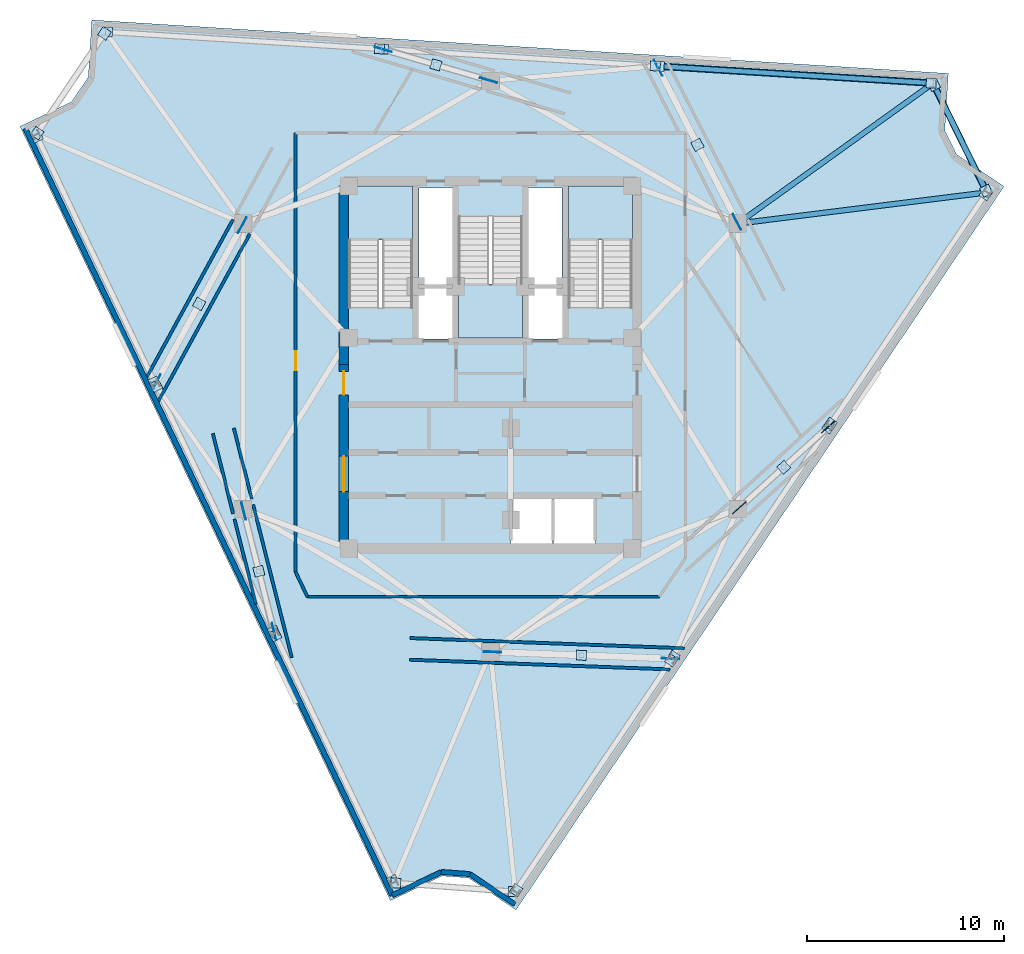
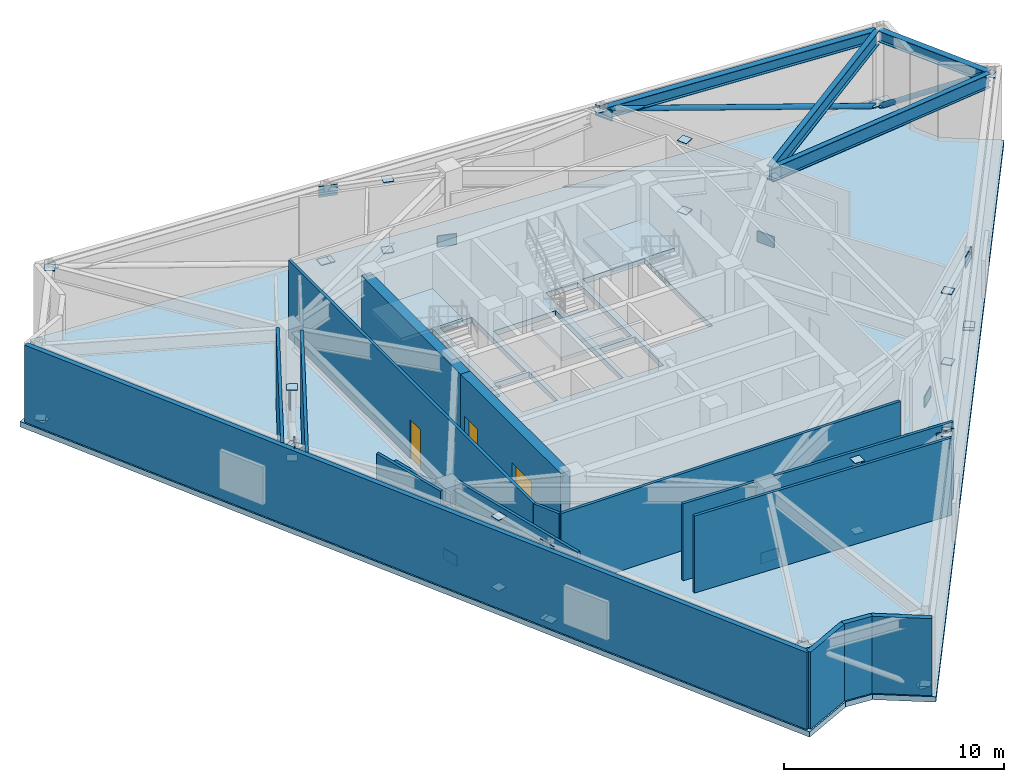
# One storey, part 7 of 11: 48 plates, 17 walls, 4 beams, 4 slabs, 3 doors, 2 members, 3 openings, 3 elements without a shape of their own.
"""IFC4 building model written with IfcOpenShell, lengths in metres."""

from ifc_helpers import new_model, si_unit, direction, frame, frame_2d, origin, origin_2d, place, context, subcontext, project, spatial, polyline, rectangle, hollow_circle, i_section, outline, extrude, material, layer, layer_set, material_profile, profile_set, type_object, element, fill, aggregate, save


model = new_model("IFC4")

# Units and contexts
model_context = context("Model", 3, precision=1e-05, world=origin(), true_north=direction((0.0, 1.0)))
body_context = subcontext(model_context, "Body", "Model", "MODEL_VIEW")
ifc_project = project(units=[si_unit("LENGTHUNIT", "METRE"), si_unit("AREAUNIT", "SQUARE_METRE"), si_unit("VOLUMEUNIT", "CUBIC_METRE"), si_unit("PLANEANGLEUNIT", "RADIAN"), si_unit("MASSUNIT", "GRAM", prefix="KILO")], contexts=[model_context])

# Site, building, storey
site_placement = place(None, origin())
site = spatial("IfcSite", under=ifc_project, at=site_placement, CompositionType="ELEMENT")
building_placement = place(site_placement, origin())
building = spatial("IfcBuilding", under=site, at=building_placement, Name="Apsidion Concourse Tower", CompositionType="ELEMENT")
storey_placement = place(building_placement, frame((0.0, 0.0, 328.0)))
storey = spatial("IfcBuildingStorey", under=building, at=storey_placement, Name="L77", CompositionType="ELEMENT", Elevation=328.0)

# Beams
ifc_material_1 = material(Name="Structural steel ASTM A992 Grade 50", Category="steel")
ifc_material_profile_1 = material_profile(ifc_material_1, i_section(OverallWidth=0.324951171875, OverallDepth=0.616943359375, WebThickness=0.013916015625, FlangeThickness=0.021484375, at=origin_2d()), Name="W24X117")
ifc_profile_set_1 = profile_set([ifc_material_profile_1], Name="Structural steel ASTM A992 Grade 50")
beam_type_1 = type_object("IfcBeamType", Name="BM-SP-W24", PredefinedType="SPANDREL", material=ifc_profile_set_1)
beam_1_placement = place(storey_placement, frame((25.164794921875, 8.922119140625, 3.971435546875), z_axis=(-0.441884134894, 0.897072132734, 0.0), x_axis=(-0.897072132734, -0.441884134894, 0.0)))
element("IfcBeam", 1, at=beam_1_placement, inside=storey, type_object=beam_type_1, Name="L77 Perimeter Spandrel Girder SP-08", PredefinedType="SPANDREL", context=body_context, shape_type="SweptSolid", body=[
    extrude(i_section(OverallWidth=0.324951171875, OverallDepth=0.616943359375, WebThickness=0.013916015625, FlangeThickness=0.021484375, at=origin_2d()), origin(), (0.0, 0.0, 1.0), 5.982421875),
])
beam_2_placement = place(storey_placement, frame((22.377197265625, 14.384765625, 3.971435546875), z_axis=(-0.998077561187, 0.06197726886, 0.0), x_axis=(-0.06197726886, -0.998077561187, 0.0)))
element("IfcBeam", 2, at=beam_2_placement, inside=storey, type_object=beam_type_1, Name="L77 Perimeter Spandrel Girder SP-09", PredefinedType="SPANDREL", context=body_context, shape_type="SweptSolid", body=[
    extrude(i_section(OverallWidth=0.324951171875, OverallDepth=0.616943359375, WebThickness=0.013916015625, FlangeThickness=0.021484375, at=origin_2d()), origin(), (0.0, 0.0, 1.0), 13.83447265625),
])
ifc_material_profile_2 = material_profile(ifc_material_1, i_section(OverallWidth=0.26806640625, OverallDepth=0.77001953125, WebThickness=0.015625, FlangeThickness=0.025390625, at=origin_2d()), Name="W30X132")
ifc_profile_set_2 = profile_set([ifc_material_profile_2], Name="Structural steel ASTM A992 Grade 50")
beam_type_2 = type_object("IfcBeamType", Name="BM-SP-W30", PredefinedType="SPANDREL", material=ifc_profile_set_2)
beam_3_placement = place(storey_placement, frame((12.7783203125, 7.27734375, 3.89501953125), z_axis=(0.99226487514, 0.124138702924, 0.0), x_axis=(-0.124138702924, 0.99226487514, 0.0)))
element("IfcBeam", 3, at=beam_3_placement, inside=storey, type_object=beam_type_2, Name="L77 Radial Floor Girder RAD-08", PredefinedType="SPANDREL", context=body_context, shape_type="SweptSolid", body=[
    extrude(i_section(OverallWidth=0.26806640625, OverallDepth=0.77001953125, WebThickness=0.015625, FlangeThickness=0.025390625, at=origin_2d()), origin(), (0.0, 0.0, 1.0), 12.427490234375),
])
beam_4_placement = place(storey_placement, frame((12.738525390625, 7.37841796875, 3.89501953125), z_axis=(0.811991962087, 0.583668616174, 0.0), x_axis=(-0.583668616174, 0.811991962087, 0.0)))
element("IfcBeam", 4, at=beam_4_placement, inside=storey, type_object=beam_type_2, Name="L77 Radial Floor Girder RAD-09", PredefinedType="SPANDREL", context=body_context, shape_type="SweptSolid", body=[
    extrude(i_section(OverallWidth=0.26806640625, OverallDepth=0.77001953125, WebThickness=0.015625, FlangeThickness=0.025390625, at=origin_2d()), origin(), (0.0, 0.0, 1.0), 11.8935546875),
])

# Members
ifc_material_2 = material(Name="Structural steel ASTM A500 Grade C", Category="steel")
ifc_material_profile_3 = material_profile(ifc_material_2, hollow_circle(Radius=0.136474609375, WallThickness=0.01611328125, at=origin_2d()), Name="CHS273X16")
ifc_profile_set_3 = profile_set([ifc_material_profile_3], Name="Structural steel ASTM A500 Grade C")
member_type = type_object("IfcMemberType", Name="MB-BR-CHS273", PredefinedType="BRACE", material=ifc_profile_set_3)
member_1_placement = place(storey_placement, frame((22.521240234375, 14.288818359375, 0.0), z_axis=(0.362227073991, -0.735359765466, 0.572745634817), x_axis=(0.897072132734, 0.441884134894, 0.0)))
element("IfcMember", 5, at=member_1_placement, inside=storey, type_object=member_type, Name="L77 Perimeter Belt-Truss Diagonal BT-08", PredefinedType="BRACE", context=body_context, shape_type="SweptSolid", body=[
    extrude(hollow_circle(Radius=0.136474609375, WallThickness=0.01611328125, at=origin_2d()), origin(), (0.0, 0.0, 1.0), 7.298095703125),
])
member_2_placement = place(storey_placement, frame((22.377197265625, 14.384765625, 0.0), z_axis=(-0.955420564102, 0.059328412418, 0.289226010538), x_axis=(-0.06197726886, -0.998077561187, 0.0)))
element("IfcMember", 6, at=member_2_placement, inside=storey, type_object=member_type, Name="L77 Perimeter Belt-Truss Diagonal BT-09", PredefinedType="BRACE", context=body_context, shape_type="SweptSolid", body=[
    extrude(hollow_circle(Radius=0.136474609375, WallThickness=0.01611328125, at=origin_2d()), origin(), (0.0, 0.0, 1.0), 14.4521484375),
])

# Plates
ifc_material_3 = material(Name="Structural steel ASTM A572 Grade 50", Category="steel")
ifc_layer_1 = layer(ifc_material_3, 0.034912109375)
ifc_layer_set_1 = layer_set([ifc_layer_1], Name="Structural steel ASTM A572 Grade 50")
plate_type_1 = type_object("IfcPlateType", Name="PL-ENDCAP-35", PredefinedType="USERDEFINED", material=ifc_layer_set_1)
for number, where, z_axis, x_axis, name in (
    (7, (-11.7626953125, -10.407470703125, 0.22265625), (0.0, 0.0, 1.0), (-0.244799751878, 0.969573659647, 0.0), "L77 Outrigger Strut Base End-Cap Plate CAPA-01"),
    (8, (-11.7626953125, -10.407470703125, 4.16259765625), (0.0, 0.0, 1.0), (-0.244799751878, 0.969573659647, 0.0), "L77 Outrigger Strut Top End-Cap Plate CAPB-01"),
    (9, (14.891845703125, -5.127685546875, 0.22265625), (0.0, 0.0, 1.0), (0.739631094979, 0.67301251351, 0.0), "L77 Outrigger Strut Base End-Cap Plate CAPA-02"),
    (10, (14.891845703125, -5.127685546875, 4.16259765625), (0.0, 0.0, 1.0), (0.739631094979, 0.67301251351, 0.0), "L77 Outrigger Strut Top End-Cap Plate CAPB-02"),
    (11, (10.5146484375, 11.249267578125, 0.22265625), (0.0, 0.0, 1.0), (-0.455389528851, 0.890292298637, 0.0), "L77 Outrigger Strut Base End-Cap Plate CAPA-03"),
    (12, (10.5146484375, 11.249267578125, 4.16259765625), (0.0, 0.0, 1.0), (-0.455389528851, 0.890292298637, 0.0), "L77 Outrigger Strut Top End-Cap Plate CAPB-03"),
    (13, (-2.76904296875, 15.30908203125, 0.22265625), (0.0, 0.0, 1.0), (-0.959854262938, 0.280499187022, 0.0), "L77 Outrigger Strut Base End-Cap Plate CAPA-04"),
    (14, (-2.76904296875, 15.30908203125, 4.16259765625), (0.0, 0.0, 1.0), (-0.959854262938, 0.280499187022, 0.0), "L77 Outrigger Strut Top End-Cap Plate CAPB-04"),
    (15, (-14.789794921875, 3.17333984375, 0.22265625), (0.0, 0.0, 1.0), (0.479917286421, 0.877313739887, 0.0), "L77 Outrigger Strut Base End-Cap Plate CAPA-05"),
    (16, (-14.789794921875, 3.17333984375, 4.16259765625), (0.0, 0.0, 1.0), (0.479917286421, 0.877313739887, 0.0), "L77 Outrigger Strut Top End-Cap Plate CAPB-05"),
    (17, (4.619384765625, -14.671875, 0.22265625), (0.0, 0.0, 1.0), (-0.999309070193, 0.037166950783, 0.0), "L77 Outrigger Strut Base End-Cap Plate CAPA-06"),
    (18, (4.619384765625, -14.671875, 4.16259765625), (0.0, 0.0, 1.0), (-0.999309070193, 0.037166950783, 0.0), "L77 Outrigger Strut Top End-Cap Plate CAPB-06"),
    (19, (-23.0302734375, 11.66845703125, 0.1025390625), (0.0, 0.0, 1.0), (-0.431298587031, 0.902209248913, 0.0), "L77 Belt-Truss Base End Plate BTP-01A"),
    (20, (-17.0625, -0.81298828125, 4.16259765625), (0.0, 0.0, 1.0), (-0.431298587031, 0.902209248913, 0.0), "L77 Belt-Truss Top End Plate BTP-01B"),
    (21, (-11.008544921875, -13.474609375, 0.1025390625), (0.0, 0.0, 1.0), (-0.431298587031, 0.902209248913, 0.0), "L77 Belt-Truss Base End Plate BTP-02A"),
    (22, (-16.976318359375, -0.993408203125, 4.16259765625), (0.0, 0.0, 1.0), (-0.431298587031, 0.902209248913, 0.0), "L77 Belt-Truss Top End Plate BTP-02B"),
    (23, (-10.92236328125, -13.655029296875, 0.1025390625), (0.0, 0.0, 1.0), (-0.431298587031, 0.902209248913, 0.0), "L77 Belt-Truss Base End Plate BTP-03A"),
    (24, (-4.95458984375, -26.136474609375, 4.16259765625), (0.0, 0.0, 1.0), (-0.431298587031, 0.902209248913, 0.0), "L77 Belt-Truss Top End Plate BTP-03B"),
    (25, (1.154296875, -26.674560546875, 0.1025390625), (0.0, 0.0, 1.0), (-0.997288851512, 0.073586321085, 0.0), "L77 Belt-Truss Base End Plate BTP-04A"),
    (26, (-4.81201171875, -26.234130859375, 4.16259765625), (0.0, 0.0, 1.0), (-0.997288851512, 0.073586321085, 0.0), "L77 Belt-Truss Top End Plate BTP-04B"),
    (27, (1.309814453125, -26.59912109375, 0.1025390625), (0.0, 0.0, 1.0), (0.559192903471, 0.829037572555, 0.0), "L77 Belt-Truss Base End Plate BTP-05A"),
    (28, (9.18310546875, -14.9267578125, 4.16259765625), (0.0, 0.0, 1.0), (0.559192903471, 0.829037572555, 0.0), "L77 Belt-Truss Top End Plate BTP-05B"),
    (29, (17.16796875, -3.088623046875, 0.1025390625), (0.0, 0.0, 1.0), (0.559192903471, 0.829037572555, 0.0), "L77 Belt-Truss Base End Plate BTP-06A"),
    (30, (9.294921875, -14.760986328125, 4.16259765625), (0.0, 0.0, 1.0), (0.559192903471, 0.829037572555, 0.0), "L77 Belt-Truss Top End Plate BTP-06B"),
    (31, (17.27978515625, -2.9228515625, 0.1025390625), (0.0, 0.0, 1.0), (0.559192903471, 0.829037572555, 0.0), "L77 Belt-Truss Base End Plate BTP-07A"),
    (32, (25.153076171875, 8.74951171875, 4.16259765625), (0.0, 0.0, 1.0), (0.559192903471, 0.829037572555, 0.0), "L77 Belt-Truss Top End Plate BTP-07B"),
    (33, (22.521240234375, 14.288818359375, 0.1025390625), (0.0, 0.0, 1.0), (-0.441819028143, 0.897104200397, 0.0), "L77 Belt-Truss Base End Plate BTP-08A"),
    (34, (25.164794921875, 8.922119140625, 4.16259765625), (0.0, 0.0, 1.0), (-0.441819028143, 0.897104200397, 0.0), "L77 Belt-Truss Top End Plate BTP-08B"),
    (35, (22.377197265625, 14.384765625, 0.1025390625), (0.0, 0.0, 1.0), (-0.998081143466, 0.061919553109, 0.0), "L77 Belt-Truss Base End Plate BTP-09A"),
    (36, (8.5693359375, 15.2421875, 4.16259765625), (0.0, 0.0, 1.0), (-0.998081143466, 0.061919553109, 0.0), "L77 Belt-Truss Top End Plate BTP-09B"),
    (37, (-5.4384765625, 16.1123046875, 0.1025390625), (0.0, 0.0, 1.0), (-0.998081143466, 0.061919553109, 0.0), "L77 Belt-Truss Base End Plate BTP-10A"),
    (38, (8.36962890625, 15.254638671875, 4.16259765625), (0.0, 0.0, 1.0), (-0.998081143466, 0.061919553109, 0.0), "L77 Belt-Truss Top End Plate BTP-10B"),
    (39, (-5.637939453125, 16.12451171875, 0.1025390625), (0.0, 0.0, 1.0), (-0.998081143466, 0.061919553109, 0.0), "L77 Belt-Truss Base End Plate BTP-11A"),
    (40, (-19.446044921875, 16.982177734375, 4.16259765625), (0.0, 0.0, 1.0), (-0.998081143466, 0.061919553109, 0.0), "L77 Belt-Truss Top End Plate BTP-11B"),
    (41, (-23.017333984375, 11.841552734375, 0.1025390625), (0.0, 0.0, 1.0), (0.559192903471, 0.829037572555, 0.0), "L77 Belt-Truss Base End Plate BTP-12A"),
    (42, (-19.601806640625, 16.905517578125, 4.16259765625), (0.0, 0.0, 1.0), (0.559192903471, 0.829037572555, 0.0), "L77 Belt-Truss Top End Plate BTP-12B"),
):
    element("IfcPlate", number, at=place(storey_placement, frame(where, z_axis=z_axis, x_axis=x_axis)), inside=storey, type_object=plate_type_1, Name=name, ObjectType="FLANGE_PLATE", PredefinedType="USERDEFINED", context=body_context, shape_type="SweptSolid", body=[
        extrude(rectangle(XDim=0.5, YDim=0.5, at=origin_2d()), origin(), (0.0, 0.0, 1.0), 0.034912109375),
    ])
ifc_layer_2 = layer(ifc_material_3, 0.0400390625)
ifc_layer_set_2 = layer_set([ifc_layer_2], Name="Structural steel ASTM A572 Grade 50")
plate_type_2 = type_object("IfcPlateType", Name="PL-GUSSET-40", PredefinedType="SHEET", material=ifc_layer_set_2)
for number, where, z_axis, x_axis, name in (
    (43, (-12.535400390625, -7.346923828125, 0.02001953125), (0.0, 0.0, 1.0), (-0.244799751878, 0.969573659647, 0.0), "L77 Outrigger Inner Node Gusset Plate ONA-01"),
    (44, (-10.989990234375, -13.468017578125, 3.699951171875), (0.0, 0.0, 1.0), (-0.244799751878, 0.969573659647, 0.0), "L77 Outrigger Outer Node Gusset Plate ONB-01"),
    (45, (12.634033203125, -7.1826171875, 0.02001953125), (0.0, 0.0, 1.0), (0.739631094979, 0.67301251351, 0.0), "L77 Outrigger Inner Node Gusset Plate ONA-02"),
    (46, (17.14990234375, -3.072998046875, 3.699951171875), (0.0, 0.0, 1.0), (0.739631094979, 0.67301251351, 0.0), "L77 Outrigger Outer Node Gusset Plate ONB-02"),
    (47, (12.514404296875, 7.339111328125, 0.02001953125), (0.0, 0.0, 1.0), (-0.455389528851, 0.890292298637, 0.0), "L77 Outrigger Inner Node Gusset Plate ONA-03"),
    (48, (8.514892578125, 15.159423828125, 3.699951171875), (0.0, 0.0, 1.0), (-0.455389528851, 0.890292298637, 0.0), "L77 Outrigger Outer Node Gusset Plate ONB-03"),
    (49, (-0.095947265625, 14.528076171875, 0.02001953125), (0.0, 0.0, 1.0), (-0.959854262938, 0.280499187022, 0.0), "L77 Outrigger Inner Node Gusset Plate ONA-04"),
    (50, (-5.442138671875, 16.09033203125, 3.699951171875), (0.0, 0.0, 1.0), (-0.959854262938, 0.280499187022, 0.0), "L77 Outrigger Outer Node Gusset Plate ONB-04"),
    (51, (-12.60791015625, 7.162353515625, 0.02001953125), (0.0, 0.0, 1.0), (0.479917286421, 0.877313739887, 0.0), "L77 Outrigger Inner Node Gusset Plate ONA-05"),
    (52, (-16.971435546875, -0.8154296875, 3.699951171875), (0.0, 0.0, 1.0), (0.479917286421, 0.877313739887, 0.0), "L77 Outrigger Outer Node Gusset Plate ONB-05"),
    (53, (0.099853515625, -14.503662109375, 0.02001953125), (0.0, 0.0, 1.0), (-0.999309070193, 0.037166950783, 0.0), "L77 Outrigger Inner Node Gusset Plate ONA-06"),
    (54, (9.13916015625, -14.840087890625, 3.699951171875), (0.0, 0.0, 1.0), (-0.999309070193, 0.037166950783, 0.0), "L77 Outrigger Outer Node Gusset Plate ONB-06"),
):
    element("IfcPlate", number, at=place(storey_placement, frame(where, z_axis=z_axis, x_axis=x_axis)), inside=storey, type_object=plate_type_2, Name=name, PredefinedType="SHEET", context=body_context, shape_type="SweptSolid", body=[
        extrude(rectangle(XDim=0.89990234375, YDim=0.0400390625, at=origin_2d()), origin(), (0.0, 0.0, 1.0), 0.60009765625),
    ])

# Slab
ifc_material_4 = material(Name="Concrete C50/60", Category="concrete")
ifc_layer_3 = layer(ifc_material_4, 0.300048828125)
ifc_layer_set_3 = layer_set([ifc_layer_3], Name="Concrete C50/60")
slab_type_1 = type_object("IfcSlabType", Name="SL-FLR-300", PredefinedType="FLOOR", material=ifc_layer_set_3)
slab_1_placement = place(storey_placement, frame((0.0, 0.0, -0.300048828125)))
element("IfcSlab", 55, at=slab_1_placement, inside=storey, type_object=slab_type_1, Name="L77 Structural Floor Slab", PredefinedType="FLOOR", context=body_context, shape_type="SweptSolid", body=[
    extrude(outline(polyline([(-20.24365234375, 17.58837890625), (-20.424560546875, 14.688232421875), (-21.27001953125, 13.43505859375), (-23.89111328125, 12.180908203125), (-5.082275390625, -27.131103515625), (-2.461181640625, -25.877197265625), (-1.11181640625, -25.9765625), (1.297119140625, -27.6015625), (26.07763671875, 9.136962890625), (23.668701171875, 10.76171875), (23.07080078125, 11.9755859375), (23.251708984375, 14.875732421875), (-20.24365234375, 17.58837890625)]), holes=[polyline([(-3.949951171875, 3.0), (-3.949951171875, 9.14990234375), (-7.199951171875, 9.14990234375), (-7.199951171875, 3.0), (-3.949951171875, 3.0)]), polyline([(7.199951171875, 3.0), (7.199951171875, 9.14990234375), (3.949951171875, 9.14990234375), (3.949951171875, 3.0), (7.199951171875, 3.0)]), polyline([(-1.625, 7.60009765625), (-1.625, 1.449951171875), (1.625, 1.449951171875), (1.625, 7.60009765625), (-1.625, 7.60009765625)]), polyline([(1.044921875, -9.0), (3.155029296875, -9.0), (3.155029296875, -6.64990234375), (1.044921875, -6.64990234375), (1.044921875, -9.0)]), polyline([(3.195068359375, -9.0), (5.304931640625, -9.0), (5.304931640625, -6.64990234375), (3.195068359375, -6.64990234375), (3.195068359375, -9.0)]), polyline([(-3.7099609375, 1.39990234375), (-1.85009765625, 1.39990234375), (-1.85009765625, 4.0), (-3.7099609375, 4.0), (-3.7099609375, 1.39990234375)]), polyline([(1.85009765625, 1.39990234375), (3.7099609375, 1.39990234375), (3.7099609375, 4.0), (1.85009765625, 4.0), (1.85009765625, 1.39990234375)]), polyline([(-3.6201171875, 4.14990234375), (-1.93994140625, 4.14990234375), (-1.93994140625, 9.050048828125), (-3.6201171875, 9.050048828125), (-3.6201171875, 4.14990234375)]), polyline([(1.93994140625, 4.14990234375), (3.6201171875, 4.14990234375), (3.6201171875, 9.050048828125), (1.93994140625, 9.050048828125), (1.93994140625, 4.14990234375)])]), origin(), (0.0, 0.0, 1.0), 0.300048828125),
])

# Stair, slab
ifc_material_5 = material(Name="Precast concrete C40/50", Category="concrete")
stair_type = type_object("IfcStairType", Name="ST-DL-1550", PredefinedType="HALF_TURN_STAIR", material=ifc_material_5)
stair_1_placement = place(storey_placement, origin())
stair_1 = element("IfcStair", 56, at=stair_1_placement, inside=storey, type_object=stair_type, Name="L77 Protected Core Exit Stair ST1", PredefinedType="HALF_TURN_STAIR")
ifc_layer_4 = layer(ifc_material_4, 0.199951171875)
ifc_layer_set_4 = layer_set([ifc_layer_4], Name="Concrete C50/60")
slab_type_2 = type_object("IfcSlabType", Name="SL-ST-LAND-200", PredefinedType="LANDING", material=ifc_layer_set_4)
slab_2_placement = place(storey_placement, frame((0.0, 0.0, 2.050048828125)))
slab_2 = element("IfcSlab", 57, at=slab_2_placement, type_object=slab_type_2, Name="ST1 landing 1", PredefinedType="LANDING", context=body_context, shape_type="SweptSolid", body=[
    extrude(outline(polyline([(-3.949951171875, 6.419921875), (-3.949951171875, 9.14990234375), (-7.199951171875, 9.14990234375), (-7.199951171875, 6.419921875), (-3.949951171875, 6.419921875)])), origin(), (0.0, 0.0, 1.0), 0.199951171875),
])
aggregate(stair_1, [slab_2])

stair_2_placement = place(storey_placement, origin())
stair_2 = element("IfcStair", 58, at=stair_2_placement, inside=storey, type_object=stair_type, Name="L77 Protected Core Exit Stair ST2", PredefinedType="HALF_TURN_STAIR")
slab_3_placement = place(storey_placement, frame((0.0, 0.0, 2.050048828125)))
slab_3 = element("IfcSlab", 59, at=slab_3_placement, type_object=slab_type_2, Name="ST2 landing 1", PredefinedType="LANDING", context=body_context, shape_type="SweptSolid", body=[
    extrude(outline(polyline([(7.199951171875, 6.419921875), (7.199951171875, 9.14990234375), (3.949951171875, 9.14990234375), (3.949951171875, 6.419921875), (7.199951171875, 6.419921875)])), origin(), (0.0, 0.0, 1.0), 0.199951171875),
])
aggregate(stair_2, [slab_3])

stair_3_placement = place(storey_placement, origin())
stair_3 = element("IfcStair", 60, at=stair_3_placement, inside=storey, type_object=stair_type, Name="L77 Protected Core Exit Stair ST3", PredefinedType="HALF_TURN_STAIR")
slab_4_placement = place(storey_placement, frame((0.0, 0.0, 2.050048828125)))
slab_4 = element("IfcSlab", 61, at=slab_4_placement, type_object=slab_type_2, Name="ST3 landing 1", PredefinedType="LANDING", context=body_context, shape_type="SweptSolid", body=[
    extrude(outline(polyline([(-1.625, 4.179931640625), (-1.625, 1.449951171875), (1.625, 1.449951171875), (1.625, 4.179931640625), (-1.625, 4.179931640625)])), origin(), (0.0, 0.0, 1.0), 0.199951171875),
])
aggregate(stair_3, [slab_4])

# Walls
ifc_layer_5 = layer(ifc_material_5, 0.25)
ifc_layer_set_5 = layer_set([ifc_layer_5], Name="Precast concrete C40/50")
wall_type_1 = type_object("IfcWallType", Name="WL-EXT-250", PredefinedType="STANDARD", material=ifc_layer_set_5)
wall_1_placement = place(storey_placement, frame((1.2431640625, -27.323974609375, 0.0), z_axis=(0.0, 0.0, 1.0), x_axis=(-0.829015842911, 0.559225117643, 0.0)))
element("IfcWall", 62, at=wall_1_placement, inside=storey, type_object=wall_type_1, Name="L77 Precast Stone Facade Wall 06", PredefinedType="STANDARD", context=body_context, shape_type="SweptSolid", body=[
    extrude(rectangle(XDim=2.759033203125, YDim=0.25, at=frame_2d((1.37939453125, 0.0))), origin(), (0.0, 0.0, 1.0), 4.280029296875),
])
wall_2_placement = place(storey_placement, frame((-1.044189453125, -25.781005859375, 0.0), z_axis=(0.0, 0.0, 1.0), x_axis=(-0.997286893261, 0.073612855735, 0.0)))
element("IfcWall", 63, at=wall_2_placement, inside=storey, type_object=wall_type_1, Name="L77 Precast Stone Facade Wall 07", PredefinedType="STANDARD", context=body_context, shape_type="SweptSolid", body=[
    extrude(rectangle(XDim=1.459228515625, YDim=0.25, at=frame_2d((0.7294921875, 0.0))), origin(), (0.0, 0.0, 1.0), 4.280029296875),
])
wall_3_placement = place(storey_placement, frame((-2.49951171875, -25.673583984375, 0.0), z_axis=(0.0, 0.0, 1.0), x_axis=(-0.902044352952, -0.431643354296, 0.0)))
element("IfcWall", 64, at=wall_3_placement, inside=storey, type_object=wall_type_1, Name="L77 Precast Stone Facade Wall 08", PredefinedType="STANDARD", context=body_context, shape_type="SweptSolid", body=[
    extrude(rectangle(XDim=2.759033203125, YDim=0.25, at=frame_2d((1.37939453125, 0.0))), origin(), (0.0, 0.0, 1.0), 4.280029296875),
])
wall_4_placement = place(storey_placement, frame((-4.98828125, -26.864501953125, 0.0), z_axis=(0.0, 0.0, 1.0), x_axis=(-0.431592936847, 0.902068476815, 0.0)))
element("IfcWall", 65, at=wall_4_placement, inside=storey, type_object=wall_type_1, Name="L77 Precast Stone Facade Wall 09", PredefinedType="STANDARD", context=body_context, shape_type="SweptSolid", body=[
    extrude(rectangle(XDim=43.18017578125, YDim=0.25, at=frame_2d((21.590087890625, 0.0))), origin(), (0.0, 0.0, 1.0), 4.280029296875),
])
ifc_material_6 = material(Name="Gypsum plasterboard partition")
ifc_layer_6 = layer(ifc_material_6, 0.14990234375)
ifc_layer_set_6 = layer_set([ifc_layer_6], Name="Gypsum plasterboard partition")
wall_type_2 = type_object("IfcWallType", Name="WL-INT-PAR-150", PredefinedType="PARTITIONING", material=ifc_layer_set_6)
wall_5_placement = place(storey_placement, frame((8.572998046875, -11.699951171875, 0.0), z_axis=(0.0, 0.0, 1.0), x_axis=(-1.0, 0.0, 0.0)))
element("IfcWall", 66, at=wall_5_placement, inside=storey, type_object=wall_type_2, Name="L77 Interior Partition WL-L77-CORR-04", PredefinedType="PARTITIONING", context=body_context, shape_type="SweptSolid", body=[
    extrude(rectangle(XDim=17.867919921875, YDim=0.14990234375, at=frame_2d((8.93408203125, 0.0))), origin(), (0.0, 0.0, 1.0), 4.280029296875),
])
wall_6_placement = place(storey_placement, frame((-9.294921875, -11.699951171875, 0.0), z_axis=(0.0, 0.0, 1.0), x_axis=(-0.431541766175, 0.902092957542, 0.0)))
element("IfcWall", 67, at=wall_6_placement, inside=storey, type_object=wall_type_2, Name="L77 Interior Partition WL-L77-CORR-05", PredefinedType="PARTITIONING", context=body_context, shape_type="SweptSolid", body=[
    extrude(rectangle(XDim=1.40185546875, YDim=0.14990234375, at=frame_2d((0.700927734375, 0.0))), origin(), (0.0, 0.0, 1.0), 4.280029296875),
])

# Wall, opening, door
wall_7_placement = place(storey_placement, frame((-9.89990234375, -10.435302734375, 0.0), z_axis=(0.0, 0.0, 1.0), x_axis=(0.0, 1.0, 0.0)))
wall_7 = element("IfcWall", 68, at=wall_7_placement, inside=storey, type_object=wall_type_2, Name="L77 Interior Partition WL-L77-CORR-06", PredefinedType="PARTITIONING", context=body_context, shape_type="SweptSolid", body=[
    extrude(rectangle(XDim=22.285400390625, YDim=0.14990234375, at=frame_2d((11.142578125, 0.0))), origin(), (0.0, 0.0, 1.0), 4.280029296875),
])
opening_1_placement = place(wall_7_placement, frame((10.23974609375, 0.0, 0.0)))
opening_1 = element("IfcOpeningElement", 69, at=opening_1_placement, cuts=wall_7, Name="Opening D-01L", PredefinedType="OPENING", context=body_context, shape_type="SweptSolid", body=[
    extrude(rectangle(XDim=0.949951171875, YDim=2.14990234375, at=frame_2d((0.47509765625, 1.074951171875))), frame((0.0, 0.0849609375, 0.0), z_axis=(0.0, -1.0, 0.0), x_axis=(1.0, 0.0, 0.0)), (0.0, 0.0, 1.0), 0.169921875),
])
ifc_material_7 = material(Name="Brushed stainless steel 316", Category="steel")
door_type_1 = type_object("IfcDoorType", Name="DR-INT-D01L", OperationType="SINGLE_SWING_LEFT", PredefinedType="DOOR", material=ifc_material_7)
door_1_placement = place(opening_1_placement, origin())
door_1 = element("IfcDoor", 70, at=door_1_placement, inside=storey, type_object=door_type_1, Name="L77 Corridor Entry Door 01", OperationType="SINGLE_SWING_LEFT", OverallHeight=2.14990234375, OverallWidth=0.949951171875, PredefinedType="DOOR", context=body_context, shape_type="SweptSolid", body=[
    extrude(rectangle(XDim=0.949951171875, YDim=2.14990234375, at=frame_2d((0.47509765625, 1.074951171875))), frame((0.0, 0.02490234375, 0.0), z_axis=(0.0, -1.0, 0.0), x_axis=(1.0, 0.0, 0.0)), (0.0, 0.0, 1.0), 0.050048828125),
])
fill(opening_1, door_1)

# Walls
wall_8_placement = place(storey_placement, frame((-14.096923828125, -3.409423828125, 0.0), z_axis=(0.0, 0.0, 1.0), x_axis=(0.244780732816, -0.969578461416, 0.0)))
element("IfcWall", 71, at=wall_8_placement, inside=storey, type_object=wall_type_2, Name="L77 Interior Partition WL-L77-OTW-01-1-1", PredefinedType="PARTITIONING", context=body_context, shape_type="SweptSolid", body=[
    extrude(rectangle(XDim=4.195068359375, YDim=0.14990234375, at=frame_2d((2.09765625, 0.0))), origin(), (0.0, 0.0, 1.0), 4.280029296875),
])
wall_9_placement = place(storey_placement, frame((-12.99853515625, -7.760009765625, 0.0), z_axis=(0.0, 0.0, 1.0), x_axis=(0.244819517383, -0.969568669001, 0.0)))
element("IfcWall", 72, at=wall_9_placement, inside=storey, type_object=wall_type_2, Name="L77 Interior Partition WL-L77-OTW-01-1-2", PredefinedType="PARTITIONING", context=body_context, shape_type="SweptSolid", body=[
    extrude(rectangle(XDim=4.45068359375, YDim=0.14990234375, at=frame_2d((2.225341796875, 0.0))), origin(), (0.0, 0.0, 1.0), 3.64306640625),
])
wall_10_placement = place(storey_placement, frame((-13.030517578125, -3.14013671875, 0.0), z_axis=(0.0, 0.0, 1.0), x_axis=(0.244809340232, -0.969571238711, 0.0)))
element("IfcWall", 73, at=wall_10_placement, inside=storey, type_object=wall_type_2, Name="L77 Interior Partition WL-L77-OTW-01-2-1", PredefinedType="PARTITIONING", context=body_context, shape_type="SweptSolid", body=[
    extrude(rectangle(XDim=3.712890625, YDim=0.14990234375, at=frame_2d((1.8564453125, 0.0))), origin(), (0.0, 0.0, 1.0), 3.327880859375),
])
wall_11_placement = place(storey_placement, frame((-12.050048828125, -7.023193359375, 0.0), z_axis=(0.0, 0.0, 1.0), x_axis=(0.244808914564, -0.969571346188, 0.0)))
element("IfcWall", 74, at=wall_11_placement, inside=storey, type_object=wall_type_2, Name="L77 Interior Partition WL-L77-OTW-01-2-2", PredefinedType="PARTITIONING", context=body_context, shape_type="SweptSolid", body=[
    extrude(rectangle(XDim=8.008056640625, YDim=0.14990234375, at=frame_2d((4.00390625, 0.0))), origin(), (0.0, 0.0, 1.0), 4.280029296875),
])
wall_12_placement = place(storey_placement, frame((-13.070068359375, 7.4638671875, 0.0), z_axis=(0.0, 0.0, 1.0), x_axis=(-0.479842349225, -0.877354728653, 0.0)))
element("IfcWall", 75, at=wall_12_placement, inside=storey, type_object=wall_type_2, Name="L77 Interior Partition WL-L77-OTW-05-1-2", PredefinedType="PARTITIONING", context=body_context, shape_type="SweptSolid", body=[
    extrude(rectangle(XDim=9.100830078125, YDim=0.14990234375, at=frame_2d((4.55029296875, 0.0))), origin(), (0.0, 0.0, 1.0), 4.280029296875),
])
wall_13_placement = place(storey_placement, frame((-12.212158203125, 6.739990234375, 0.0), z_axis=(0.0, 0.0, 1.0), x_axis=(-0.479844228241, -0.87735370098, 0.0)))
element("IfcWall", 76, at=wall_13_placement, inside=storey, type_object=wall_type_2, Name="L77 Interior Partition WL-L77-OTW-05-2-2", PredefinedType="PARTITIONING", context=body_context, shape_type="SweptSolid", body=[
    extrude(rectangle(XDim=9.669677734375, YDim=0.14990234375, at=frame_2d((4.8349609375, 0.0))), origin(), (0.0, 0.0, 1.0), 4.280029296875),
])
wall_14_placement = place(storey_placement, frame((-4.11767578125, -14.897216796875, 0.0), z_axis=(0.0, 0.0, 1.0), x_axis=(0.99930853472, -0.037181345264, 0.0)))
element("IfcWall", 77, at=wall_14_placement, inside=storey, type_object=wall_type_2, Name="L77 Interior Partition WL-L77-OTW-06-1-1", PredefinedType="PARTITIONING", context=body_context, shape_type="SweptSolid", body=[
    extrude(rectangle(XDim=13.250732421875, YDim=0.14990234375, at=frame_2d((6.62548828125, 0.0))), origin(), (0.0, 0.0, 1.0), 4.280029296875),
])
wall_15_placement = place(storey_placement, frame((-4.07666015625, -13.7978515625, 0.0), z_axis=(0.0, 0.0, 1.0), x_axis=(0.999307976445, -0.037196346763, 0.0)))
element("IfcWall", 78, at=wall_15_placement, inside=storey, type_object=wall_type_2, Name="L77 Interior Partition WL-L77-OTW-06-2-1", PredefinedType="PARTITIONING", context=body_context, shape_type="SweptSolid", body=[
    extrude(rectangle(XDim=13.934326171875, YDim=0.14990234375, at=frame_2d((6.96728515625, 0.0))), origin(), (0.0, 0.0, 1.0), 4.280029296875),
])
ifc_layer_7 = layer(ifc_material_4, 0.5)
ifc_layer_set_7 = layer_set([ifc_layer_7], Name="Concrete C50/60")
wall_type_3 = type_object("IfcWallType", Name="WL-SH-500", PredefinedType="SHEAR", material=ifc_layer_set_7)
wall_16_placement = place(storey_placement, frame((-7.449951171875, 0.10009765625, 0.0), z_axis=(0.0, 0.0, 1.0), x_axis=(0.0, 1.0, 0.0)))
element("IfcWall", 79, at=wall_16_placement, inside=storey, type_object=wall_type_3, Name="L77 Central Core Shear Wall WN", PredefinedType="SHEAR", context=body_context, shape_type="SweptSolid", body=[
    extrude(rectangle(XDim=9.0498046875, YDim=0.5, at=frame_2d((4.52490234375, 0.0))), origin(), (0.0, 0.0, 1.0), 4.280029296875),
])

# Wall, openings, doors
wall_17_placement = place(storey_placement, frame((-7.449951171875, -9.0, 0.0), z_axis=(0.0, 0.0, 1.0), x_axis=(0.0, 1.0, 0.0)))
wall_17 = element("IfcWall", 80, at=wall_17_placement, inside=storey, type_object=wall_type_3, Name="L77 Central Core Shear Wall WS", PredefinedType="SHEAR", context=body_context, shape_type="SweptSolid", body=[
    extrude(rectangle(XDim=9.10009765625, YDim=0.5, at=frame_2d((4.550048828125, 0.0))), origin(), (0.0, 0.0, 1.0), 4.280029296875),
])
opening_2_placement = place(wall_17_placement, frame((2.639892578125, 0.0, 0.0)))
opening_2 = element("IfcOpeningElement", 81, at=opening_2_placement, cuts=wall_17, Name="Opening D-06D", PredefinedType="OPENING", context=body_context, shape_type="SweptSolid", body=[
    extrude(rectangle(XDim=1.800048828125, YDim=2.199951171875, at=frame_2d((0.89990234375, 1.10009765625))), frame((0.0, 0.260009765625, 0.0), z_axis=(0.0, -1.0, 0.0), x_axis=(1.0, 0.0, 0.0)), (0.0, 0.0, 1.0), 0.52001953125),
])
opening_3_placement = place(wall_17_placement, frame((7.550048828125, 0.0, 0.0)))
opening_3 = element("IfcOpeningElement", 82, at=opening_3_placement, cuts=wall_17, Name="Opening D-FFL", PredefinedType="OPENING", context=body_context, shape_type="SweptSolid", body=[
    extrude(rectangle(XDim=1.199951171875, YDim=2.14990234375, at=frame_2d((0.60009765625, 1.074951171875))), frame((0.0, 0.260009765625, 0.0), z_axis=(0.0, -1.0, 0.0), x_axis=(1.0, 0.0, 0.0)), (0.0, 0.0, 1.0), 0.52001953125),
])
door_type_2 = type_object("IfcDoorType", Name="DR-INT-D06D", OperationType="DOUBLE_DOOR_SINGLE_SWING", PredefinedType="DOOR", material=ifc_material_7)
door_2_placement = place(opening_2_placement, origin())
door_2 = element("IfcDoor", 83, at=door_2_placement, inside=storey, type_object=door_type_2, Name="L77 Passenger Lift Lobby WS Portal Door", OperationType="DOUBLE_DOOR_SINGLE_SWING", OverallHeight=2.199951171875, OverallWidth=1.800048828125, PredefinedType="DOOR", context=body_context, shape_type="SweptSolid", body=[
    extrude(rectangle(XDim=1.800048828125, YDim=2.199951171875, at=frame_2d((0.89990234375, 1.10009765625))), frame((0.0, 0.02490234375, 0.0), z_axis=(0.0, -1.0, 0.0), x_axis=(1.0, 0.0, 0.0)), (0.0, 0.0, 1.0), 0.050048828125),
])
fill(opening_2, door_2)
door_type_3 = type_object("IfcDoorType", Name="DR-INT-FFL", OperationType="SINGLE_SWING_LEFT", PredefinedType="DOOR", material=ifc_material_7)
door_3_placement = place(opening_3_placement, origin())
door_3 = element("IfcDoor", 84, at=door_3_placement, inside=storey, type_object=door_type_3, Name="L77 Firefighting Lift Lobby FF1 Door", OperationType="SINGLE_SWING_LEFT", OverallHeight=2.14990234375, OverallWidth=1.199951171875, PredefinedType="DOOR", context=body_context, shape_type="SweptSolid", body=[
    extrude(rectangle(XDim=1.199951171875, YDim=2.14990234375, at=frame_2d((0.60009765625, 1.074951171875))), frame((0.0, 0.02490234375, 0.0), z_axis=(0.0, -1.0, 0.0), x_axis=(1.0, 0.0, 0.0)), (0.0, 0.0, 1.0), 0.050048828125),
])
fill(opening_3, door_3)

save(model, "model.ifc")
